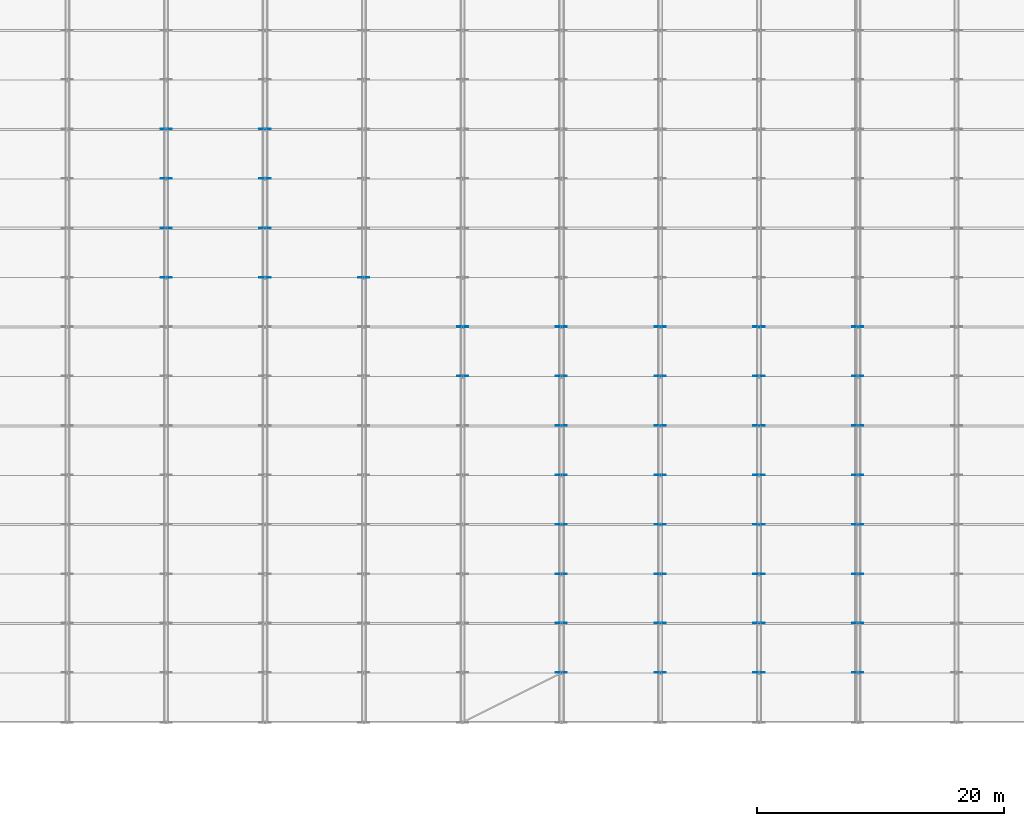
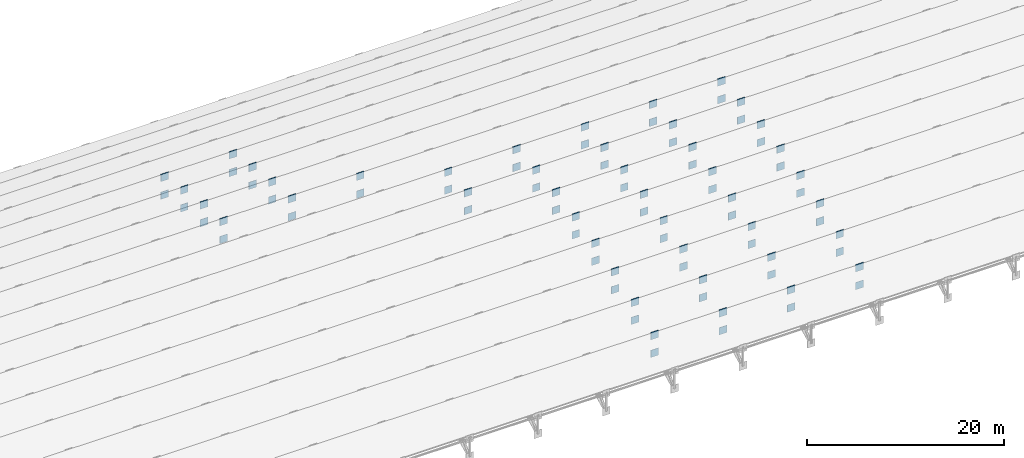
# One storey, part 79 of 98: 86 plates.
"""IFC4 building model written with IfcOpenShell, lengths in metres."""

from ifc_helpers import new_model, si_unit, direction, frame, origin, origin_2d, place, context, subcontext, project, spatial, rectangle, extrude, material, layer, layer_set, type_object, element, save


model = new_model("IFC4")

# Units and contexts
model_context = context("Model", 3, precision=1e-05, world=origin(), true_north=direction((0.0, 1.0)))
body_context = subcontext(model_context, "Body", "Model", "MODEL_VIEW")
ifc_project = project(units=[si_unit("LENGTHUNIT", "METRE"), si_unit("AREAUNIT", "SQUARE_METRE"), si_unit("VOLUMEUNIT", "CUBIC_METRE"), si_unit("PLANEANGLEUNIT", "RADIAN"), si_unit("MASSUNIT", "GRAM", prefix="KILO")], contexts=[model_context])

# Site, building, storey
site_placement = place(None, origin())
site = spatial("IfcSite", under=ifc_project, at=site_placement, CompositionType="ELEMENT")
building_placement = place(site_placement, origin())
building = spatial("IfcBuilding", under=site, at=building_placement, Name="Tlacozan Convention Centre", CompositionType="ELEMENT")
storey_placement = place(building_placement, frame((0.0, 0.0, 25.800048828125)))
storey = spatial("IfcBuildingStorey", under=building, at=storey_placement, Name="Roof", CompositionType="ELEMENT", Elevation=25.800048828125)

# Plates
ifc_material = material(Name="Steel ASTM A572 Grade 50", Category="steel")
ifc_layer = layer(ifc_material, 0.044921875)
ifc_layer_set = layer_set([ifc_layer], Name="Steel ASTM A572 Grade 50")
plate_type = type_object("IfcPlateType", Name="Arch Springing Node Gusset Plate", PredefinedType="SHEET", material=ifc_layer_set)
for number, where, z_axis, x_axis, name in (
    (1, (64.0, 98.026611328125, -3.16845703125), (0.0, 0.0, 1.0), (0.0, 1.0, 0.0), "Roof Gusset Cap Plate 291"),
    (2, (64.0, 98.026611328125, -5.368408203125), (0.0, 0.0, 1.0), (0.0, 1.0, 0.0), "Roof Gusset Cap Plate 292"),
    (3, (64.0, 102.0263671875, -3.5244140625), (0.0, 0.0, 1.0), (0.0, 1.0, 0.0), "Roof Gusset Cap Plate 293"),
    (4, (64.0, 102.0263671875, -5.724609375), (0.0, 0.0, 1.0), (0.0, 1.0, 0.0), "Roof Gusset Cap Plate 294"),
    (5, (64.0, 106.026123046875, -4.12109375), (0.0, 0.0, 1.0), (0.0, 1.0, 0.0), "Roof Gusset Cap Plate 295"),
    (6, (64.0, 106.026123046875, -6.321044921875), (0.0, 0.0, 1.0), (0.0, 1.0, 0.0), "Roof Gusset Cap Plate 296"),
    (7, (64.0, 110.02587890625, -4.964599609375), (0.0, 0.0, 1.0), (0.0, 1.0, 0.0), "Roof Gusset Cap Plate 297"),
    (8, (64.0, 110.02587890625, -7.164794921875), (0.0, 0.0, 1.0), (0.0, 1.0, 0.0), "Roof Gusset Cap Plate 298"),
    (9, (72.0, 98.026611328125, -3.16845703125), (0.0, 0.0, 1.0), (0.0, 1.0, 0.0), "Roof Gusset Cap Plate 325"),
    (10, (72.0, 98.026611328125, -5.368408203125), (0.0, 0.0, 1.0), (0.0, 1.0, 0.0), "Roof Gusset Cap Plate 326"),
    (11, (72.0, 102.0263671875, -3.5244140625), (0.0, 0.0, 1.0), (0.0, 1.0, 0.0), "Roof Gusset Cap Plate 327"),
    (12, (72.0, 102.0263671875, -5.724609375), (0.0, 0.0, 1.0), (0.0, 1.0, 0.0), "Roof Gusset Cap Plate 328"),
    (13, (72.0, 106.026123046875, -4.12109375), (0.0, 0.0, 1.0), (0.0, 1.0, 0.0), "Roof Gusset Cap Plate 329"),
    (14, (72.0, 106.026123046875, -6.321044921875), (0.0, 0.0, 1.0), (0.0, 1.0, 0.0), "Roof Gusset Cap Plate 330"),
    (15, (72.0, 110.02587890625, -4.964599609375), (0.0, 0.0, 1.0), (0.0, 1.0, 0.0), "Roof Gusset Cap Plate 331"),
    (16, (72.0, 110.02587890625, -7.164794921875), (0.0, 0.0, 1.0), (0.0, 1.0, 0.0), "Roof Gusset Cap Plate 332"),
    (17, (80.0, 98.026611328125, -3.16845703125), (0.0, 0.0, 1.0), (0.0, 1.0, 0.0), "Roof Gusset Cap Plate 359"),
    (18, (80.0, 98.026611328125, -5.368408203125), (0.0, 0.0, 1.0), (0.0, 1.0, 0.0), "Roof Gusset Cap Plate 360"),
    (19, (88.0, 90.0263671875, -3.165283203125), (0.0, 0.0, 1.0), (0.0, 1.0, 0.0), "Roof Gusset Cap Plate 389"),
    (20, (88.0, 90.0263671875, -5.365478515625), (0.0, 0.0, 1.0), (0.0, 1.0, 0.0), "Roof Gusset Cap Plate 390"),
    (21, (88.0, 94.026611328125, -3.04931640625), (0.0, 0.0, 1.0), (0.0, 1.0, 0.0), "Roof Gusset Cap Plate 391"),
    (22, (88.0, 94.026611328125, -5.249267578125), (0.0, 0.0, 1.0), (0.0, 1.0, 0.0), "Roof Gusset Cap Plate 392"),
    (23, (96.0, 66.023681640625, -9.070556640625), (0.0, 0.0, 1.0), (0.0, 1.0, 0.0), "Roof Gusset Cap Plate 410"),
    (24, (96.0, 66.023681640625, -11.2705078125), (0.0, 0.0, 1.0), (0.0, 1.0, 0.0), "Roof Gusset Cap Plate 412"),
    (25, (96.0, 70.0244140625, -7.416015625), (0.0, 0.0, 1.0), (0.0, 1.0, 0.0), "Roof Gusset Cap Plate 413"),
    (26, (96.0, 70.0244140625, -9.615966796875), (0.0, 0.0, 1.0), (0.0, 1.0, 0.0), "Roof Gusset Cap Plate 414"),
    (27, (96.0, 74.025146484375, -6.049072265625), (0.0, 0.0, 1.0), (0.0, 1.0, 0.0), "Roof Gusset Cap Plate 415"),
    (28, (96.0, 74.025146484375, -8.2490234375), (0.0, 0.0, 1.0), (0.0, 1.0, 0.0), "Roof Gusset Cap Plate 416"),
    (29, (96.0, 78.025634765625, -4.9521484375), (0.0, 0.0, 1.0), (0.0, 1.0, 0.0), "Roof Gusset Cap Plate 417"),
    (30, (96.0, 78.025634765625, -7.152099609375), (0.0, 0.0, 1.0), (0.0, 1.0, 0.0), "Roof Gusset Cap Plate 418"),
    (31, (96.0, 82.02587890625, -4.11181640625), (0.0, 0.0, 1.0), (0.0, 1.0, 0.0), "Roof Gusset Cap Plate 419"),
    (32, (96.0, 82.02587890625, -6.311767578125), (0.0, 0.0, 1.0), (0.0, 1.0, 0.0), "Roof Gusset Cap Plate 420"),
    (33, (96.0, 86.026123046875, -3.518310546875), (0.0, 0.0, 1.0), (0.0, 1.0, 0.0), "Roof Gusset Cap Plate 421"),
    (34, (96.0, 86.026123046875, -5.71826171875), (0.0, 0.0, 1.0), (0.0, 1.0, 0.0), "Roof Gusset Cap Plate 422"),
    (35, (96.0, 90.0263671875, -3.165283203125), (0.0, 0.0, 1.0), (0.0, 1.0, 0.0), "Roof Gusset Cap Plate 423"),
    (36, (96.0, 90.0263671875, -5.365478515625), (0.0, 0.0, 1.0), (0.0, 1.0, 0.0), "Roof Gusset Cap Plate 424"),
    (37, (96.0, 94.026611328125, -3.04931640625), (0.0, 0.0, 1.0), (0.0, 1.0, 0.0), "Roof Gusset Cap Plate 425"),
    (38, (96.0, 94.026611328125, -5.249267578125), (0.0, 0.0, 1.0), (0.0, 1.0, 0.0), "Roof Gusset Cap Plate 426"),
    (39, (104.0, 66.023681640625, -9.070556640625), (0.0, 0.0, 1.0), (0.0, 1.0, 0.0), "Roof Gusset Cap Plate 444"),
    (40, (104.0, 66.023681640625, -11.2705078125), (0.0, 0.0, 1.0), (0.0, 1.0, 0.0), "Roof Gusset Cap Plate 446"),
    (41, (104.0, 70.0244140625, -7.416015625), (0.0, 0.0, 1.0), (0.0, 1.0, 0.0), "Roof Gusset Cap Plate 447"),
    (42, (104.0, 70.0244140625, -9.615966796875), (0.0, 0.0, 1.0), (0.0, 1.0, 0.0), "Roof Gusset Cap Plate 448"),
    (43, (104.0, 74.025146484375, -6.049072265625), (0.0, 0.0, 1.0), (0.0, 1.0, 0.0), "Roof Gusset Cap Plate 449"),
    (44, (104.0, 74.025146484375, -8.2490234375), (0.0, 0.0, 1.0), (0.0, 1.0, 0.0), "Roof Gusset Cap Plate 450"),
    (45, (104.0, 78.025634765625, -4.9521484375), (0.0, 0.0, 1.0), (0.0, 1.0, 0.0), "Roof Gusset Cap Plate 451"),
    (46, (104.0, 78.025634765625, -7.152099609375), (0.0, 0.0, 1.0), (0.0, 1.0, 0.0), "Roof Gusset Cap Plate 452"),
    (47, (104.0, 82.02587890625, -4.11181640625), (0.0, 0.0, 1.0), (0.0, 1.0, 0.0), "Roof Gusset Cap Plate 453"),
    (48, (104.0, 82.02587890625, -6.311767578125), (0.0, 0.0, 1.0), (0.0, 1.0, 0.0), "Roof Gusset Cap Plate 454"),
    (49, (104.0, 86.026123046875, -3.518310546875), (0.0, 0.0, 1.0), (0.0, 1.0, 0.0), "Roof Gusset Cap Plate 455"),
    (50, (104.0, 86.026123046875, -5.71826171875), (0.0, 0.0, 1.0), (0.0, 1.0, 0.0), "Roof Gusset Cap Plate 456"),
    (51, (104.0, 90.0263671875, -3.165283203125), (0.0, 0.0, 1.0), (0.0, 1.0, 0.0), "Roof Gusset Cap Plate 457"),
    (52, (104.0, 90.0263671875, -5.365478515625), (0.0, 0.0, 1.0), (0.0, 1.0, 0.0), "Roof Gusset Cap Plate 458"),
    (53, (104.0, 94.026611328125, -3.04931640625), (0.0, 0.0, 1.0), (0.0, 1.0, 0.0), "Roof Gusset Cap Plate 459"),
    (54, (104.0, 94.026611328125, -5.249267578125), (0.0, 0.0, 1.0), (0.0, 1.0, 0.0), "Roof Gusset Cap Plate 460"),
    (55, (112.0, 66.023681640625, -9.070556640625), (0.0, 0.0, 1.0), (0.0, 1.0, 0.0), "Roof Gusset Cap Plate 478"),
    (56, (112.0, 66.023681640625, -11.2705078125), (0.0, 0.0, 1.0), (0.0, 1.0, 0.0), "Roof Gusset Cap Plate 480"),
    (57, (112.0, 70.0244140625, -7.416015625), (0.0, 0.0, 1.0), (0.0, 1.0, 0.0), "Roof Gusset Cap Plate 481"),
    (58, (112.0, 70.0244140625, -9.615966796875), (0.0, 0.0, 1.0), (0.0, 1.0, 0.0), "Roof Gusset Cap Plate 482"),
    (59, (112.0, 74.025146484375, -6.049072265625), (0.0, 0.0, 1.0), (0.0, 1.0, 0.0), "Roof Gusset Cap Plate 483"),
    (60, (112.0, 74.025146484375, -8.2490234375), (0.0, 0.0, 1.0), (0.0, 1.0, 0.0), "Roof Gusset Cap Plate 484"),
    (61, (112.0, 78.025634765625, -4.9521484375), (0.0, 0.0, 1.0), (0.0, 1.0, 0.0), "Roof Gusset Cap Plate 485"),
    (62, (112.0, 78.025634765625, -7.152099609375), (0.0, 0.0, 1.0), (0.0, 1.0, 0.0), "Roof Gusset Cap Plate 486"),
    (63, (112.0, 82.02587890625, -4.11181640625), (0.0, 0.0, 1.0), (0.0, 1.0, 0.0), "Roof Gusset Cap Plate 487"),
    (64, (112.0, 82.02587890625, -6.311767578125), (0.0, 0.0, 1.0), (0.0, 1.0, 0.0), "Roof Gusset Cap Plate 488"),
    (65, (112.0, 86.026123046875, -3.518310546875), (0.0, 0.0, 1.0), (0.0, 1.0, 0.0), "Roof Gusset Cap Plate 489"),
    (66, (112.0, 86.026123046875, -5.71826171875), (0.0, 0.0, 1.0), (0.0, 1.0, 0.0), "Roof Gusset Cap Plate 490"),
    (67, (112.0, 90.0263671875, -3.165283203125), (0.0, 0.0, 1.0), (0.0, 1.0, 0.0), "Roof Gusset Cap Plate 491"),
    (68, (112.0, 90.0263671875, -5.365478515625), (0.0, 0.0, 1.0), (0.0, 1.0, 0.0), "Roof Gusset Cap Plate 492"),
    (69, (112.0, 94.026611328125, -3.04931640625), (0.0, 0.0, 1.0), (0.0, 1.0, 0.0), "Roof Gusset Cap Plate 493"),
    (70, (112.0, 94.026611328125, -5.249267578125), (0.0, 0.0, 1.0), (0.0, 1.0, 0.0), "Roof Gusset Cap Plate 494"),
    (71, (120.0, 66.023681640625, -9.070556640625), (0.0, 0.0, 1.0), (0.0, 1.0, 0.0), "Roof Gusset Cap Plate 512"),
    (72, (120.0, 66.023681640625, -11.2705078125), (0.0, 0.0, 1.0), (0.0, 1.0, 0.0), "Roof Gusset Cap Plate 514"),
    (73, (120.0, 70.0244140625, -7.416015625), (0.0, 0.0, 1.0), (0.0, 1.0, 0.0), "Roof Gusset Cap Plate 515"),
    (74, (120.0, 70.0244140625, -9.615966796875), (0.0, 0.0, 1.0), (0.0, 1.0, 0.0), "Roof Gusset Cap Plate 516"),
    (75, (120.0, 74.025146484375, -6.049072265625), (0.0, 0.0, 1.0), (0.0, 1.0, 0.0), "Roof Gusset Cap Plate 517"),
    (76, (120.0, 74.025146484375, -8.2490234375), (0.0, 0.0, 1.0), (0.0, 1.0, 0.0), "Roof Gusset Cap Plate 518"),
    (77, (120.0, 78.025634765625, -4.9521484375), (0.0, 0.0, 1.0), (0.0, 1.0, 0.0), "Roof Gusset Cap Plate 519"),
    (78, (120.0, 78.025634765625, -7.152099609375), (0.0, 0.0, 1.0), (0.0, 1.0, 0.0), "Roof Gusset Cap Plate 520"),
    (79, (120.0, 82.02587890625, -4.11181640625), (0.0, 0.0, 1.0), (0.0, 1.0, 0.0), "Roof Gusset Cap Plate 521"),
    (80, (120.0, 82.02587890625, -6.311767578125), (0.0, 0.0, 1.0), (0.0, 1.0, 0.0), "Roof Gusset Cap Plate 522"),
    (81, (120.0, 86.026123046875, -3.518310546875), (0.0, 0.0, 1.0), (0.0, 1.0, 0.0), "Roof Gusset Cap Plate 523"),
    (82, (120.0, 86.026123046875, -5.71826171875), (0.0, 0.0, 1.0), (0.0, 1.0, 0.0), "Roof Gusset Cap Plate 524"),
    (83, (120.0, 90.0263671875, -3.165283203125), (0.0, 0.0, 1.0), (0.0, 1.0, 0.0), "Roof Gusset Cap Plate 525"),
    (84, (120.0, 90.0263671875, -5.365478515625), (0.0, 0.0, 1.0), (0.0, 1.0, 0.0), "Roof Gusset Cap Plate 526"),
    (85, (120.0, 94.026611328125, -3.04931640625), (0.0, 0.0, 1.0), (0.0, 1.0, 0.0), "Roof Gusset Cap Plate 527"),
    (86, (120.0, 94.026611328125, -5.249267578125), (0.0, 0.0, 1.0), (0.0, 1.0, 0.0), "Roof Gusset Cap Plate 528"),
):
    element("IfcPlate", number, at=place(storey_placement, frame(where, z_axis=z_axis, x_axis=x_axis)), inside=storey, type_object=plate_type, Name=name, PredefinedType="SHEET", context=body_context, shape_type="SweptSolid", body=[
        extrude(rectangle(XDim=0.044921875, YDim=0.89990234375, at=origin_2d()), origin(), (0.0, 0.0, 1.0), 0.89990234375),
    ])

save(model, "model.ifc")
